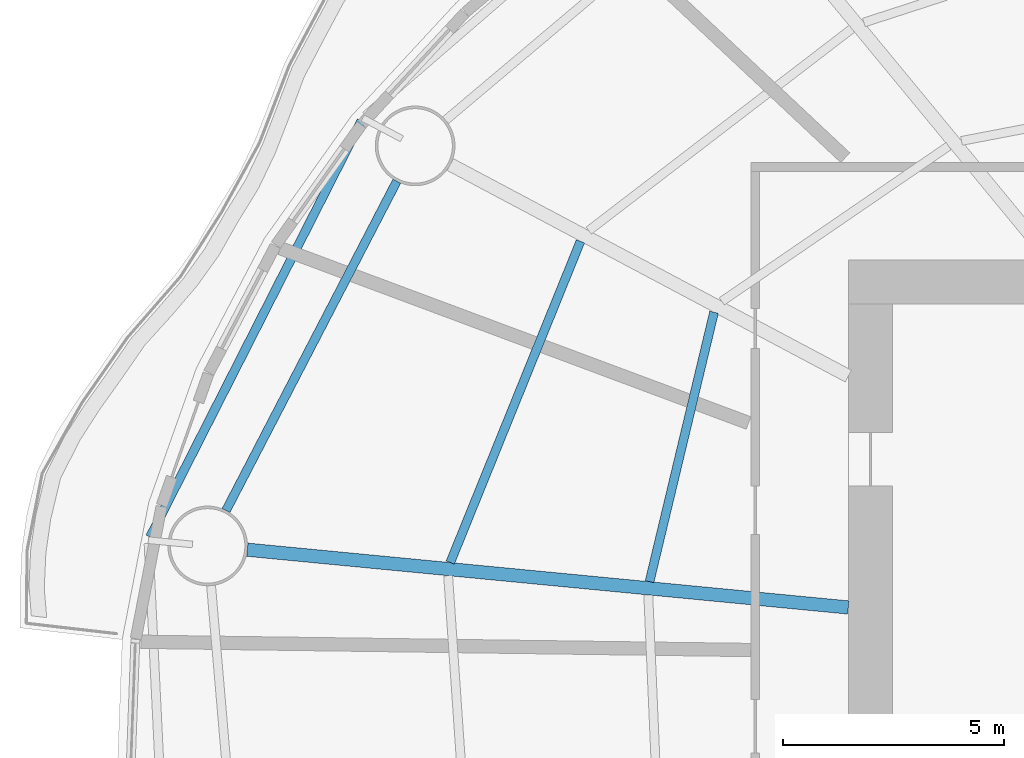
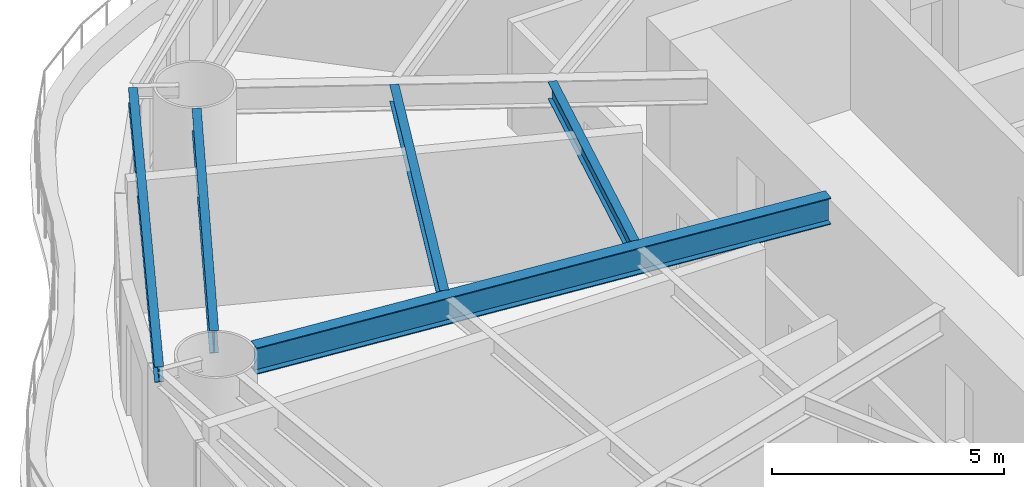
# One storey, part 3 of 16: 5 beams.
"""IFC4 building model written with IfcOpenShell, lengths in metres."""

from ifc_helpers import new_model, si_unit, direction, frame, origin, origin_2d, place, context, subcontext, project, spatial, i_section, extrude, material, material_profile, profile_set, type_object, element, save


model = new_model("IFC4")

# Units and contexts
model_context = context("Model", 3, precision=1e-05, world=origin(), true_north=direction((0.0, 1.0)))
body_context = subcontext(model_context, "Body", "Model", "MODEL_VIEW")
ifc_project = project(units=[si_unit("LENGTHUNIT", "METRE"), si_unit("AREAUNIT", "SQUARE_METRE"), si_unit("VOLUMEUNIT", "CUBIC_METRE"), si_unit("PLANEANGLEUNIT", "RADIAN"), si_unit("MASSUNIT", "GRAM", prefix="KILO")], contexts=[model_context])

# Site, building, storey
site_placement = place(None, origin())
site = spatial("IfcSite", under=ifc_project, at=site_placement, CompositionType="ELEMENT")
building_placement = place(site_placement, origin())
building = spatial("IfcBuilding", under=site, at=building_placement, Name="Vermilion Reach Broadcast Tower", CompositionType="ELEMENT")
storey_placement = place(building_placement, frame((0.0, 0.0, 80.39990234375)))
storey = spatial("IfcBuildingStorey", under=building, at=storey_placement, Name="L17", CompositionType="ELEMENT", Elevation=80.39990234375)

# Beams
ifc_material_1 = material(Name="Steel S355J2", Category="steel")
ifc_material_profile_1 = material_profile(ifc_material_1, i_section(OverallWidth=0.199951171875, OverallDepth=0.39990234375, WebThickness=0.008056640625, FlangeThickness=0.012939453125, at=origin_2d()), Name="S355J2 HN 400x200x8x13")
ifc_profile_set_1 = profile_set([ifc_material_profile_1], Name="Steel S355J2")
beam_type_1 = type_object("IfcBeamType", Name="EB1 HN 400x200x8x13", PredefinedType="BEAM", material=ifc_profile_set_1)
beam_1_placement = place(storey_placement, frame((-28.995361328125, 12.13671875, 3.300048828125), z_axis=(-0.45283153701, -0.891596096385, 0.0), x_axis=(0.891596096385, -0.45283153701, 0.0)))
element("IfcBeam", 1, at=beam_1_placement, inside=storey, type_object=beam_type_1, Name="Edge beam EB1-07", PredefinedType="BEAM", context=body_context, shape_type="SweptSolid", body=[
    extrude(i_section(OverallWidth=0.199951171875, OverallDepth=0.39990234375, WebThickness=0.008056640625, FlangeThickness=0.012939453125, at=origin_2d()), origin(), (0.0, 0.0, 1.0), 10.534912109375),
])
ifc_material_2 = material(Name="Steel S355J2", Category="steel")
ifc_material_profile_2 = material_profile(ifc_material_2, i_section(OverallWidth=0.300048828125, OverallDepth=0.699951171875, WebThickness=0.012939453125, FlangeThickness=0.02392578125, at=origin_2d()), Name="S355J2 HN 700x300x13x24")
ifc_profile_set_2 = profile_set([ifc_material_profile_2], Name="Steel S355J2")
beam_type_2 = type_object("IfcBeamType", Name="G1 HN 700x300x13x24", PredefinedType="BEAM", material=ifc_profile_set_2)
beam_2_placement = place(storey_placement, frame((-18.0, 1.1533203125, 3.150146484375), z_axis=(-0.995412178872, 0.095679643363, 0.0), x_axis=(-0.095679643363, -0.995412178872, 0.0)))
element("IfcBeam", 2, at=beam_2_placement, inside=storey, type_object=beam_type_2, Name="Girder G1-08", PredefinedType="BEAM", context=body_context, shape_type="SweptSolid", body=[
    extrude(i_section(OverallWidth=0.300048828125, OverallDepth=0.699951171875, WebThickness=0.012939453125, FlangeThickness=0.02392578125, at=origin_2d()), origin(), (0.0, 0.0, 1.0), 13.630859375),
])
ifc_material_3 = material(Name="Steel S355J2", Category="steel")
ifc_material_profile_3 = material_profile(ifc_material_3, i_section(OverallWidth=0.199951171875, OverallDepth=0.60009765625, WebThickness=0.010986328125, FlangeThickness=0.01708984375, at=origin_2d()), Name="S355J2 HN 600x200x11x17")
ifc_profile_set_3 = profile_set([ifc_material_profile_3], Name="Steel S355J2")
beam_type_3 = type_object("IfcBeamType", Name="RB1 HN 600x200x11x17", PredefinedType="BEAM", material=ifc_profile_set_3)
beam_3_placement = place(storey_placement, frame((-28.194091796875, 10.776611328125, 3.2001953125), z_axis=(-0.460411617218, -0.887705549566, 0.0), x_axis=(0.887705549566, -0.460411617218, 0.0)))
element("IfcBeam", 3, at=beam_3_placement, inside=storey, type_object=beam_type_3, Name="Ring beam RB1-07", PredefinedType="BEAM", context=body_context, shape_type="SweptSolid", body=[
    extrude(i_section(OverallWidth=0.199951171875, OverallDepth=0.60009765625, WebThickness=0.010986328125, FlangeThickness=0.01708984375, at=origin_2d()), origin(), (0.0, 0.0, 1.0), 8.37451171875),
])
ifc_material_4 = material(Name="Steel S355J2", Category="steel")
ifc_material_profile_4 = material_profile(ifc_material_4, i_section(OverallWidth=0.199951171875, OverallDepth=0.449951171875, WebThickness=0.009033203125, FlangeThickness=0.013916015625, at=origin_2d()), Name="S355J2 HN 450x200x9x14")
ifc_profile_set_4 = profile_set([ifc_material_profile_4], Name="Steel S355J2")
beam_type_4 = type_object("IfcBeamType", Name="SB1 HN 450x200x9x14", PredefinedType="BEAM", material=ifc_profile_set_4)
beam_4_placement = place(storey_placement, frame((-21.031005859375, 7.81884765625, 3.275146484375), z_axis=(-0.232844467589, -0.972513986487, 0.0), x_axis=(0.972513986487, -0.232844467589, 0.0)))
element("IfcBeam", 4, at=beam_4_placement, inside=storey, type_object=beam_type_4, Name="Secondary beam SB1-07-1", PredefinedType="BEAM", context=body_context, shape_type="SweptSolid", body=[
    extrude(i_section(OverallWidth=0.199951171875, OverallDepth=0.449951171875, WebThickness=0.009033203125, FlangeThickness=0.013916015625, at=origin_2d()), origin(), (0.0, 0.0, 1.0), 6.25537109375),
])
beam_5_placement = place(storey_placement, frame((-24.046630859375, 9.421630859375, 3.275146484375), z_axis=(-0.375640669938, -0.926765389453, 0.0), x_axis=(0.926765389453, -0.375640669938, 0.0)))
element("IfcBeam", 5, at=beam_5_placement, inside=storey, type_object=beam_type_4, Name="Secondary beam SB1-07-2", PredefinedType="BEAM", context=body_context, shape_type="SweptSolid", body=[
    extrude(i_section(OverallWidth=0.199951171875, OverallDepth=0.449951171875, WebThickness=0.009033203125, FlangeThickness=0.013916015625, at=origin_2d()), origin(), (0.0, 0.0, 1.0), 7.8271484375),
])

save(model, "model.ifc")
